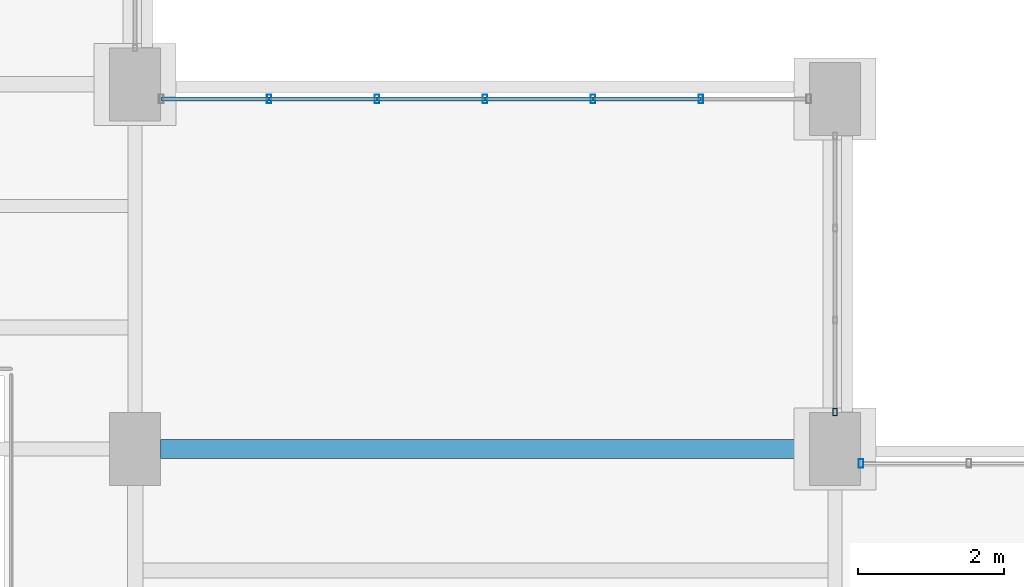
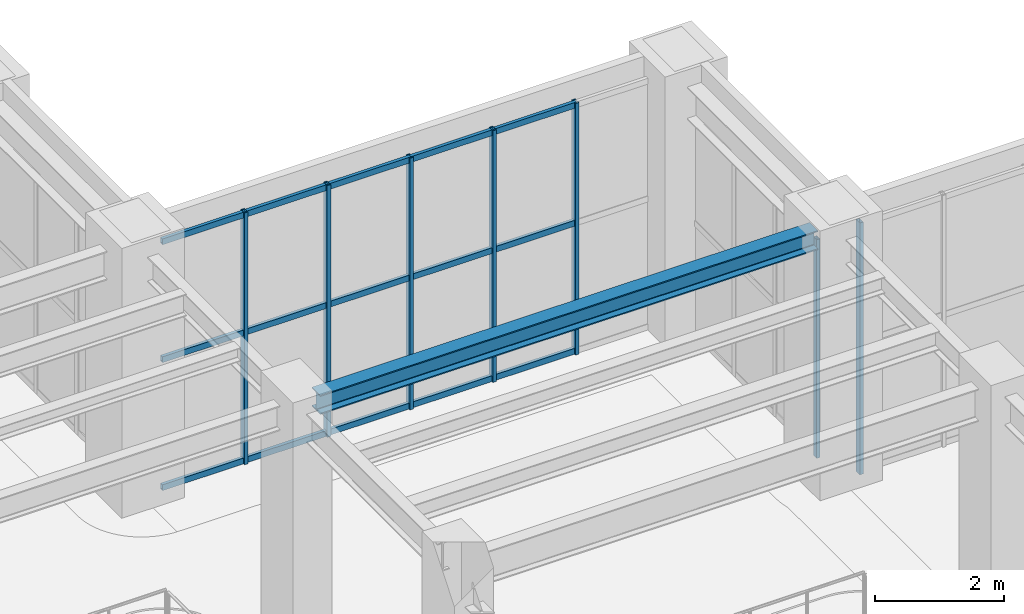
# One storey, part 116 of 174: 22 members, 1 beam, 3 elements without a shape of their own.
"""IFC4 building model written with IfcOpenShell, lengths in metres."""

from ifc_helpers import new_model, si_unit, direction, frame, origin, origin_2d, place, context, subcontext, project, spatial, hollow_rectangle, i_section, extrude, material, material_profile, profile_set, type_object, element, aggregate, save


model = new_model("IFC4")

# Units and contexts
model_context = context("Model", 3, precision=1e-05, world=origin(), true_north=direction((0.0, 1.0)))
body_context = subcontext(model_context, "Body", "Model", "MODEL_VIEW")
ifc_project = project(units=[si_unit("LENGTHUNIT", "METRE"), si_unit("AREAUNIT", "SQUARE_METRE"), si_unit("VOLUMEUNIT", "CUBIC_METRE"), si_unit("PLANEANGLEUNIT", "RADIAN"), si_unit("MASSUNIT", "GRAM", prefix="KILO")], contexts=[model_context])

# Site, building, storey
site_placement = place(None, origin())
site = spatial("IfcSite", under=ifc_project, at=site_placement, CompositionType="ELEMENT")
building_placement = place(site_placement, origin())
building = spatial("IfcBuilding", under=site, at=building_placement, Name="Mavantir Sound Aquarium", CompositionType="ELEMENT")
storey_placement = place(building_placement, frame((0.0, 0.0, 5.39990234375)))
storey = spatial("IfcBuildingStorey", under=building, at=storey_placement, Name="L01", CompositionType="ELEMENT", Elevation=5.39990234375)

# Beam
ifc_material_1 = material(Name="Structural Steel ASTM A992 Gr50", Category="steel")
ifc_material_profile_1 = material_profile(ifc_material_1, i_section(OverallWidth=0.257080078125, OverallDepth=0.363037109375, WebThickness=0.012939453125, FlangeThickness=0.021728515625, FilletRadius=0.014892578125, at=origin_2d()), Name="W360X122")
ifc_profile_set_1 = profile_set([ifc_material_profile_1], Name="Structural Steel ASTM A992 Gr50")
beam_type = type_object("IfcBeamType", Name="BM-W360X122-I", PredefinedType="BEAM", material=ifc_profile_set_1)
beam_placement = place(storey_placement, frame((127.550048828125, 80.800048828125, 4.594482421875), z_axis=(1.0, 0.0, 0.0), x_axis=(0.0, 1.0, 0.0)))
element("IfcBeam", 1, at=beam_placement, inside=storey, type_object=beam_type, Name="L01 primary beam SB-36A 1276", PredefinedType="BEAM", context=body_context, shape_type="SweptSolid", body=[
    extrude(i_section(OverallWidth=0.257080078125, OverallDepth=0.363037109375, WebThickness=0.012939453125, FlangeThickness=0.021728515625, FilletRadius=0.014892578125, at=origin_2d()), origin(), (0.0, 0.0, 1.0), 8.89990234375),
])

# Curtain wall, member
ifc_material_2 = material(Name="Anodised Marine Aluminium and Low-E Glass", Category="aluminium")
curtain_wall_type_1 = type_object("IfcCurtainWallType", Name="CW-T11", PredefinedType="USERDEFINED", material=ifc_material_2)
curtain_wall_1_placement = place(storey_placement, origin())
curtain_wall_1 = element("IfcCurtainWall", 2, at=curtain_wall_1_placement, inside=storey, type_object=curtain_wall_type_1, Name="L01 unitised curtain wall CW-11 83", ObjectType="UNITISED GLAZING", PredefinedType="USERDEFINED")
ifc_material_3 = material(Name="Anodised Marine Aluminium 6063-T6", Category="aluminium")
ifc_material_profile_2 = material_profile(ifc_material_3, hollow_rectangle(XDim=0.06005859375, YDim=0.10009765625, WallThickness=0.00390625, at=origin_2d()), Name="ALU-MULLION-100X60")
ifc_profile_set_2 = profile_set([ifc_material_profile_2], Name="Anodised Marine Aluminium 6063-T6")
member_type_1 = type_object("IfcMemberType", Name="CW-MUL-100", PredefinedType="MULLION", material=ifc_profile_set_2)
member_1_placement = place(storey_placement, frame((136.800048828125, 81.30810546875, 0.0), z_axis=(0.0, 0.0, 1.0), x_axis=(1.0, 0.0, 0.0)))
member_1 = element("IfcMember", 3, at=member_1_placement, type_object=member_type_1, Name="CW-L01-083 vertical mullion 1", PredefinedType="MULLION", context=body_context, shape_type="SweptSolid", body=[
    extrude(hollow_rectangle(XDim=0.06005859375, YDim=0.10009765625, WallThickness=0.00390625, at=origin_2d()), origin(), (0.0, 0.0, 1.0), 4.135009765625),
])
aggregate(curtain_wall_1, [member_1])

curtain_wall_type_2 = type_object("IfcCurtainWallType", Name="CW-T10", PredefinedType="USERDEFINED", material=ifc_material_2)
curtain_wall_2_placement = place(storey_placement, origin())
curtain_wall_2 = element("IfcCurtainWall", 4, at=curtain_wall_2_placement, inside=storey, type_object=curtain_wall_type_2, Name="L01 unitised curtain wall CW-10 82", ObjectType="UNITISED GLAZING", PredefinedType="USERDEFINED")
ifc_material_profile_3 = material_profile(ifc_material_3, hollow_rectangle(XDim=0.06494140625, YDim=0.1201171875, WallThickness=0.00390625, at=origin_2d()), Name="ALU-MULLION-120X65")
ifc_profile_set_3 = profile_set([ifc_material_profile_3], Name="Anodised Marine Aluminium 6063-T6")
member_type_2 = type_object("IfcMemberType", Name="CW-MUL-120", PredefinedType="MULLION", material=ifc_profile_set_3)
member_2_placement = place(storey_placement, frame((137.157958984375, 80.60009765625, 0.0), z_axis=(0.0, 0.0, 1.0), x_axis=(1.0, 0.0, 0.0)))
member_2 = element("IfcMember", 5, at=member_2_placement, type_object=member_type_2, Name="CW-L01-082 vertical mullion 7", PredefinedType="MULLION", context=body_context, shape_type="SweptSolid", body=[
    extrude(hollow_rectangle(XDim=0.06494140625, YDim=0.1201171875, WallThickness=0.00390625, at=origin_2d()), origin(), (0.0, 0.0, 1.0), 4.760009765625),
])
aggregate(curtain_wall_2, [member_2])

# Curtain wall, members
curtain_wall_type_3 = type_object("IfcCurtainWallType", Name="CW-T12", PredefinedType="USERDEFINED", material=ifc_material_2)
curtain_wall_3_placement = place(storey_placement, origin())
curtain_wall_3 = element("IfcCurtainWall", 6, at=curtain_wall_3_placement, inside=storey, type_object=curtain_wall_type_3, Name="L01 unitised curtain wall CW-12 84", ObjectType="UNITISED GLAZING", PredefinedType="USERDEFINED")
member_3_placement = place(storey_placement, frame((134.961181640625, 85.60009765625, 0.0), z_axis=(0.0, 0.0, 1.0), x_axis=(1.0, 0.0, 0.0)))
member_3 = element("IfcMember", 7, at=member_3_placement, type_object=member_type_2, Name="CW-L01-084 vertical mullion 2", PredefinedType="MULLION", context=body_context, shape_type="SweptSolid", body=[
    extrude(hollow_rectangle(XDim=0.06494140625, YDim=0.1201171875, WallThickness=0.00390625, at=origin_2d()), origin(), (0.0, 0.0, 1.0), 4.760009765625),
])
member_4_placement = place(storey_placement, frame((133.480712890625, 85.60009765625, 0.0), z_axis=(0.0, 0.0, 1.0), x_axis=(1.0, 0.0, 0.0)))
member_4 = element("IfcMember", 8, at=member_4_placement, type_object=member_type_2, Name="CW-L01-084 vertical mullion 3", PredefinedType="MULLION", context=body_context, shape_type="SweptSolid", body=[
    extrude(hollow_rectangle(XDim=0.06494140625, YDim=0.1201171875, WallThickness=0.00390625, at=origin_2d()), origin(), (0.0, 0.0, 1.0), 4.760009765625),
])
member_5_placement = place(storey_placement, frame((132.0, 85.60009765625, 0.0), z_axis=(0.0, 0.0, 1.0), x_axis=(1.0, 0.0, 0.0)))
member_5 = element("IfcMember", 9, at=member_5_placement, type_object=member_type_2, Name="CW-L01-084 vertical mullion 4", PredefinedType="MULLION", context=body_context, shape_type="SweptSolid", body=[
    extrude(hollow_rectangle(XDim=0.06494140625, YDim=0.1201171875, WallThickness=0.00390625, at=origin_2d()), origin(), (0.0, 0.0, 1.0), 4.760009765625),
])
member_6_placement = place(storey_placement, frame((130.519287109375, 85.60009765625, 0.0), z_axis=(0.0, 0.0, 1.0), x_axis=(1.0, 0.0, 0.0)))
member_6 = element("IfcMember", 10, at=member_6_placement, type_object=member_type_2, Name="CW-L01-084 vertical mullion 5", PredefinedType="MULLION", context=body_context, shape_type="SweptSolid", body=[
    extrude(hollow_rectangle(XDim=0.06494140625, YDim=0.1201171875, WallThickness=0.00390625, at=origin_2d()), origin(), (0.0, 0.0, 1.0), 4.760009765625),
])
member_7_placement = place(storey_placement, frame((129.038818359375, 85.60009765625, 0.0), z_axis=(0.0, 0.0, 1.0), x_axis=(1.0, 0.0, 0.0)))
member_7 = element("IfcMember", 11, at=member_7_placement, type_object=member_type_2, Name="CW-L01-084 vertical mullion 6", PredefinedType="MULLION", context=body_context, shape_type="SweptSolid", body=[
    extrude(hollow_rectangle(XDim=0.06494140625, YDim=0.1201171875, WallThickness=0.00390625, at=origin_2d()), origin(), (0.0, 0.0, 1.0), 4.760009765625),
])
ifc_material_profile_4 = material_profile(ifc_material_3, hollow_rectangle(XDim=0.06005859375, YDim=0.110107421875, WallThickness=0.00390625, at=origin_2d()), Name="ALU-TRANSOM-110X60")
ifc_profile_set_4 = profile_set([ifc_material_profile_4], Name="Anodised Marine Aluminium 6063-T6")
member_type_3 = type_object("IfcMemberType", Name="CW-TRN-110", PredefinedType="USERDEFINED", material=ifc_profile_set_4)
member_8_placement = place(storey_placement, frame((134.961181640625, 85.60009765625, 0.05517578125), z_axis=(-1.0, 0.0, 0.0), x_axis=(0.0, -1.0, 0.0)))
member_8 = element("IfcMember", 12, at=member_8_placement, type_object=member_type_3, Name="CW-L01-084 transom 2.1", ObjectType="TRANSOM", PredefinedType="USERDEFINED", context=body_context, shape_type="SweptSolid", body=[
    extrude(hollow_rectangle(XDim=0.06005859375, YDim=0.110107421875, WallThickness=0.00390625, at=origin_2d()), origin(), (0.0, 0.0, 1.0), 1.48046875),
])
member_9_placement = place(storey_placement, frame((134.961181640625, 85.60009765625, 2.475341796875), z_axis=(-1.0, 0.0, 0.0), x_axis=(0.0, -1.0, 0.0)))
member_9 = element("IfcMember", 13, at=member_9_placement, type_object=member_type_3, Name="CW-L01-084 transom 2.2", ObjectType="TRANSOM", PredefinedType="USERDEFINED", context=body_context, shape_type="SweptSolid", body=[
    extrude(hollow_rectangle(XDim=0.06005859375, YDim=0.110107421875, WallThickness=0.00390625, at=origin_2d()), origin(), (0.0, 0.0, 1.0), 1.48046875),
])
member_10_placement = place(storey_placement, frame((134.961181640625, 85.60009765625, 4.705078125), z_axis=(-1.0, 0.0, 0.0), x_axis=(0.0, -1.0, 0.0)))
member_10 = element("IfcMember", 14, at=member_10_placement, type_object=member_type_3, Name="CW-L01-084 transom 2.3", ObjectType="TRANSOM", PredefinedType="USERDEFINED", context=body_context, shape_type="SweptSolid", body=[
    extrude(hollow_rectangle(XDim=0.06005859375, YDim=0.110107421875, WallThickness=0.00390625, at=origin_2d()), origin(), (0.0, 0.0, 1.0), 1.48046875),
])
member_11_placement = place(storey_placement, frame((133.480712890625, 85.60009765625, 0.05517578125), z_axis=(-1.0, 0.0, 0.0), x_axis=(0.0, -1.0, 0.0)))
member_11 = element("IfcMember", 15, at=member_11_placement, type_object=member_type_3, Name="CW-L01-084 transom 3.1", ObjectType="TRANSOM", PredefinedType="USERDEFINED", context=body_context, shape_type="SweptSolid", body=[
    extrude(hollow_rectangle(XDim=0.06005859375, YDim=0.110107421875, WallThickness=0.00390625, at=origin_2d()), origin(), (0.0, 0.0, 1.0), 1.480712890625),
])
member_12_placement = place(storey_placement, frame((133.480712890625, 85.60009765625, 2.475341796875), z_axis=(-1.0, 0.0, 0.0), x_axis=(0.0, -1.0, 0.0)))
member_12 = element("IfcMember", 16, at=member_12_placement, type_object=member_type_3, Name="CW-L01-084 transom 3.2", ObjectType="TRANSOM", PredefinedType="USERDEFINED", context=body_context, shape_type="SweptSolid", body=[
    extrude(hollow_rectangle(XDim=0.06005859375, YDim=0.110107421875, WallThickness=0.00390625, at=origin_2d()), origin(), (0.0, 0.0, 1.0), 1.480712890625),
])
member_13_placement = place(storey_placement, frame((133.480712890625, 85.60009765625, 4.705078125), z_axis=(-1.0, 0.0, 0.0), x_axis=(0.0, -1.0, 0.0)))
member_13 = element("IfcMember", 17, at=member_13_placement, type_object=member_type_3, Name="CW-L01-084 transom 3.3", ObjectType="TRANSOM", PredefinedType="USERDEFINED", context=body_context, shape_type="SweptSolid", body=[
    extrude(hollow_rectangle(XDim=0.06005859375, YDim=0.110107421875, WallThickness=0.00390625, at=origin_2d()), origin(), (0.0, 0.0, 1.0), 1.480712890625),
])
member_14_placement = place(storey_placement, frame((132.0, 85.60009765625, 0.05517578125), z_axis=(-1.0, 0.0, 0.0), x_axis=(0.0, -1.0, 0.0)))
member_14 = element("IfcMember", 18, at=member_14_placement, type_object=member_type_3, Name="CW-L01-084 transom 4.1", ObjectType="TRANSOM", PredefinedType="USERDEFINED", context=body_context, shape_type="SweptSolid", body=[
    extrude(hollow_rectangle(XDim=0.06005859375, YDim=0.110107421875, WallThickness=0.00390625, at=origin_2d()), origin(), (0.0, 0.0, 1.0), 1.480712890625),
])
member_15_placement = place(storey_placement, frame((132.0, 85.60009765625, 2.475341796875), z_axis=(-1.0, 0.0, 0.0), x_axis=(0.0, -1.0, 0.0)))
member_15 = element("IfcMember", 19, at=member_15_placement, type_object=member_type_3, Name="CW-L01-084 transom 4.2", ObjectType="TRANSOM", PredefinedType="USERDEFINED", context=body_context, shape_type="SweptSolid", body=[
    extrude(hollow_rectangle(XDim=0.06005859375, YDim=0.110107421875, WallThickness=0.00390625, at=origin_2d()), origin(), (0.0, 0.0, 1.0), 1.480712890625),
])
member_16_placement = place(storey_placement, frame((132.0, 85.60009765625, 4.705078125), z_axis=(-1.0, 0.0, 0.0), x_axis=(0.0, -1.0, 0.0)))
member_16 = element("IfcMember", 20, at=member_16_placement, type_object=member_type_3, Name="CW-L01-084 transom 4.3", ObjectType="TRANSOM", PredefinedType="USERDEFINED", context=body_context, shape_type="SweptSolid", body=[
    extrude(hollow_rectangle(XDim=0.06005859375, YDim=0.110107421875, WallThickness=0.00390625, at=origin_2d()), origin(), (0.0, 0.0, 1.0), 1.480712890625),
])
member_17_placement = place(storey_placement, frame((130.519287109375, 85.60009765625, 0.05517578125), z_axis=(-1.0, 0.0, 0.0), x_axis=(0.0, -1.0, 0.0)))
member_17 = element("IfcMember", 21, at=member_17_placement, type_object=member_type_3, Name="CW-L01-084 transom 5.1", ObjectType="TRANSOM", PredefinedType="USERDEFINED", context=body_context, shape_type="SweptSolid", body=[
    extrude(hollow_rectangle(XDim=0.06005859375, YDim=0.110107421875, WallThickness=0.00390625, at=origin_2d()), origin(), (0.0, 0.0, 1.0), 1.48046875),
])
member_18_placement = place(storey_placement, frame((130.519287109375, 85.60009765625, 2.475341796875), z_axis=(-1.0, 0.0, 0.0), x_axis=(0.0, -1.0, 0.0)))
member_18 = element("IfcMember", 22, at=member_18_placement, type_object=member_type_3, Name="CW-L01-084 transom 5.2", ObjectType="TRANSOM", PredefinedType="USERDEFINED", context=body_context, shape_type="SweptSolid", body=[
    extrude(hollow_rectangle(XDim=0.06005859375, YDim=0.110107421875, WallThickness=0.00390625, at=origin_2d()), origin(), (0.0, 0.0, 1.0), 1.48046875),
])
member_19_placement = place(storey_placement, frame((130.519287109375, 85.60009765625, 4.705078125), z_axis=(-1.0, 0.0, 0.0), x_axis=(0.0, -1.0, 0.0)))
member_19 = element("IfcMember", 23, at=member_19_placement, type_object=member_type_3, Name="CW-L01-084 transom 5.3", ObjectType="TRANSOM", PredefinedType="USERDEFINED", context=body_context, shape_type="SweptSolid", body=[
    extrude(hollow_rectangle(XDim=0.06005859375, YDim=0.110107421875, WallThickness=0.00390625, at=origin_2d()), origin(), (0.0, 0.0, 1.0), 1.48046875),
])
member_20_placement = place(storey_placement, frame((129.038818359375, 85.60009765625, 0.05517578125), z_axis=(-1.0, 0.0, 0.0), x_axis=(0.0, -1.0, 0.0)))
member_20 = element("IfcMember", 24, at=member_20_placement, type_object=member_type_3, Name="CW-L01-084 transom 6.1", ObjectType="TRANSOM", PredefinedType="USERDEFINED", context=body_context, shape_type="SweptSolid", body=[
    extrude(hollow_rectangle(XDim=0.06005859375, YDim=0.110107421875, WallThickness=0.00390625, at=origin_2d()), origin(), (0.0, 0.0, 1.0), 1.480712890625),
])
member_21_placement = place(storey_placement, frame((129.038818359375, 85.60009765625, 2.475341796875), z_axis=(-1.0, 0.0, 0.0), x_axis=(0.0, -1.0, 0.0)))
member_21 = element("IfcMember", 25, at=member_21_placement, type_object=member_type_3, Name="CW-L01-084 transom 6.2", ObjectType="TRANSOM", PredefinedType="USERDEFINED", context=body_context, shape_type="SweptSolid", body=[
    extrude(hollow_rectangle(XDim=0.06005859375, YDim=0.110107421875, WallThickness=0.00390625, at=origin_2d()), origin(), (0.0, 0.0, 1.0), 1.480712890625),
])
member_22_placement = place(storey_placement, frame((129.038818359375, 85.60009765625, 4.705078125), z_axis=(-1.0, 0.0, 0.0), x_axis=(0.0, -1.0, 0.0)))
member_22 = element("IfcMember", 26, at=member_22_placement, type_object=member_type_3, Name="CW-L01-084 transom 6.3", ObjectType="TRANSOM", PredefinedType="USERDEFINED", context=body_context, shape_type="SweptSolid", body=[
    extrude(hollow_rectangle(XDim=0.06005859375, YDim=0.110107421875, WallThickness=0.00390625, at=origin_2d()), origin(), (0.0, 0.0, 1.0), 1.480712890625),
])
aggregate(curtain_wall_3, [member_3, member_4, member_5, member_6, member_7, member_8, member_9, member_10, member_11, member_12, member_13, member_14, member_15, member_16, member_17, member_18, member_19, member_20, member_21, member_22])

save(model, "model.ifc")
